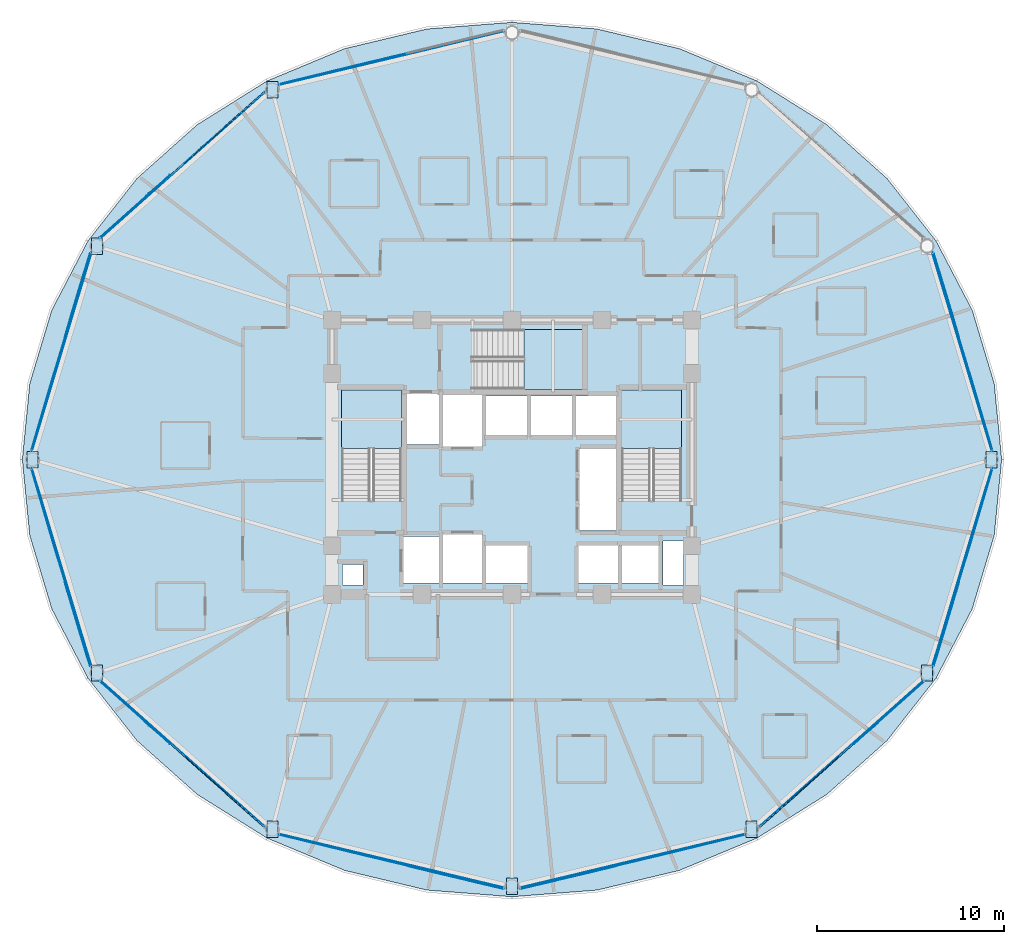
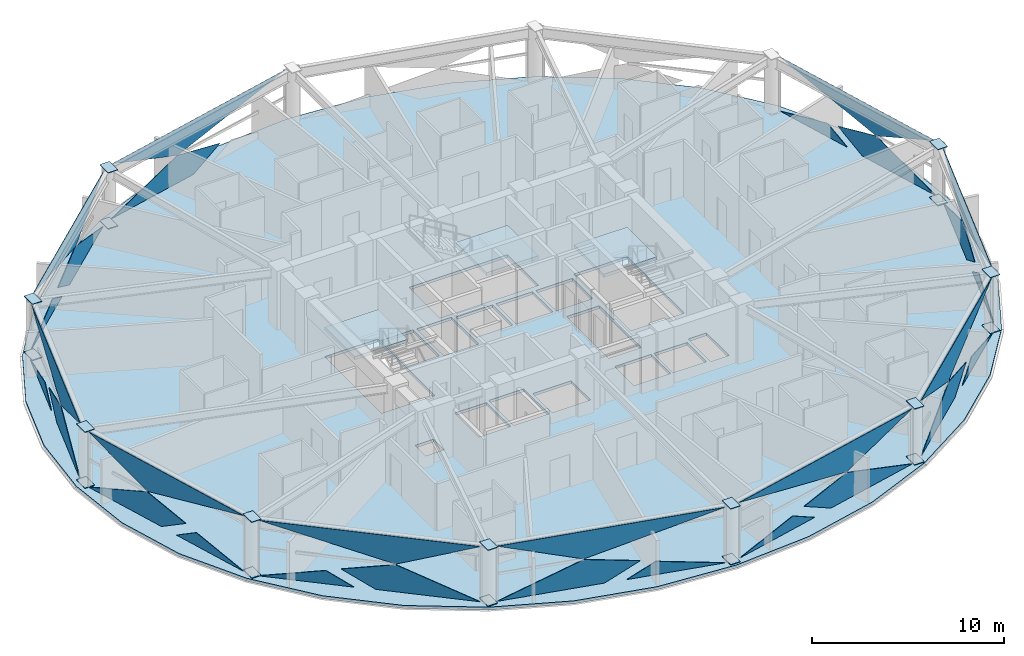
# One storey, part 23 of 32: 47 plates, 4 slabs, 13 elements without a shape of their own.
"""IFC4 building model written with IfcOpenShell, lengths in metres."""

import ifcopenshell
import ifcopenshell.guid

model = None  # the IFC model being written
_history = None  # IfcOwnerHistory: only IFC2X3 demands one
_inside = {}  # id of a spatial element -> (the spatial element, [elements in it])
_under = {}  # id of a project, library or spatial element -> (it, [spatial elements below it])
_declared = {}  # id of a project -> (the project, [libraries it declares])
_typed = {}  # id of a type object -> (the type object, [elements of that type])
_made_of = {}  # id of a material, layer set ... -> (it, [elements and type objects made of it])


def new_model(schema):
    """Start an empty IFC model of exactly this schema.

    Asked for "IFC4X3", IfcOpenShell would pick the latest addendum, in which some entities
    have other attributes; the version numbers below select the first issue.
    IFC2X3 requires an IfcOwnerHistory on every rooted entity: one is made here for all.
    """
    global model, _history
    if schema == "IFC4X3":
        model = ifcopenshell.file(schema_version=(4, 3, 0, 0))
    else:
        model = ifcopenshell.file(schema=schema)
    _inside.clear()
    _under.clear()
    _declared.clear()
    _typed.clear()
    _made_of.clear()
    _history = None
    if model.schema == "IFC2X3":
        org = make("IfcOrganization", Name="unknown")
        user = make(
            "IfcPersonAndOrganization",
            ThePerson=make("IfcPerson", FamilyName="unknown"),
            TheOrganization=org,
        )
        app = make(
            "IfcApplication",
            ApplicationDeveloper=org,
            Version="unknown",
            ApplicationFullName="unknown",
            ApplicationIdentifier="unknown",
        )
        _history = make(
            "IfcOwnerHistory",
            OwningUser=user,
            OwningApplication=app,
            ChangeAction="ADDED",
            CreationDate=0,
        )
    return model


def make(cls, **values):
    """One entity of the class cls with the attributes given. An attribute that is None is left unset."""
    return model.create_entity(
        cls, **{name: value for name, value in values.items() if value is not None}
    )


def rooted(cls, **values):
    """An entity with a GlobalId (a new one), such as an element, a storey or a relation."""
    return make(cls, GlobalId=ifcopenshell.guid.new(), OwnerHistory=_history, **values)


def si_unit(unit_type, name, prefix=None):
    """IfcSIUnit, for example si_unit("LENGTHUNIT", "METRE", prefix="MILLI")."""
    return make("IfcSIUnit", UnitType=unit_type, Prefix=prefix, Name=name)


def assignment(units):
    """IfcUnitAssignment: the units of a project."""
    return None if units is None else make("IfcUnitAssignment", Units=units)


def point(xyz):
    """IfcCartesianPoint."""
    return None if xyz is None else make("IfcCartesianPoint", Coordinates=xyz)


def direction(xyz):
    """IfcDirection."""
    return None if xyz is None else make("IfcDirection", DirectionRatios=xyz)


def frame(location, z_axis=None, x_axis=None):
    """IfcAxis2Placement3D, a coordinate frame: its origin and axes. An axis left out is left unset."""
    return make(
        "IfcAxis2Placement3D",
        Location=point(location),
        Axis=direction(z_axis),
        RefDirection=direction(x_axis),
    )


def origin():
    """The frame at (0, 0, 0) with its axes left unset."""
    return frame((0.0, 0.0, 0.0))


def place(relative_to, where):
    """IfcLocalPlacement: puts the frame where relative to a parent placement (None: the world)."""
    return make(
        "IfcLocalPlacement", PlacementRelTo=relative_to, RelativePlacement=where
    )


def context(
    kind, dimensions, precision=None, world=None, true_north=None, identifier=None
):
    """IfcGeometricRepresentationContext, for example the 3D "Model" context."""
    return make(
        "IfcGeometricRepresentationContext",
        ContextIdentifier=identifier,
        ContextType=kind,
        CoordinateSpaceDimension=dimensions,
        Precision=precision,
        WorldCoordinateSystem=world,
        TrueNorth=true_north,
    )


def subcontext(parent, identifier, kind, view, scale=None):
    """IfcGeometricRepresentationSubContext, for example "Body" below "Model"."""
    return make(
        "IfcGeometricRepresentationSubContext",
        ContextIdentifier=identifier,
        ContextType=kind,
        ParentContext=parent,
        TargetScale=scale,
        TargetView=view,
    )


def project(units=None, contexts=None):
    """IfcProject with its units and contexts."""
    return rooted(
        "IfcProject",
        Name="project",
        RepresentationContexts=contexts,
        UnitsInContext=assignment(units),
    )


def spatial(cls, under=None, at=None, **own):
    """A site, building, storey or space (cls), placed at a placement, below another one or the project."""
    s = rooted(cls, ObjectPlacement=at, **own)
    if under is not None:
        _under.setdefault(under.id(), (under, []))[1].append(s)
    return s


def polyline(points):
    """IfcPolyline through the points."""
    return make("IfcPolyline", Points=[point(p) for p in points])


def outline(outer, holes=None, kind="AREA"):
    """IfcArbitraryClosedProfileDef: a profile drawn as a closed curve; with holes, ...WithVoids."""
    if holes is None:
        return make("IfcArbitraryClosedProfileDef", ProfileType=kind, OuterCurve=outer)
    return make(
        "IfcArbitraryProfileDefWithVoids",
        ProfileType=kind,
        OuterCurve=outer,
        InnerCurves=holes,
    )


def extrude(swept, where, along, depth):
    """IfcExtrudedAreaSolid: the profile swept, set in the frame where, extruded along a direction by depth."""
    return make(
        "IfcExtrudedAreaSolid",
        SweptArea=swept,
        Position=where,
        ExtrudedDirection=direction(along),
        Depth=depth,
    )


def shape(context_of_items, identifier, shape_type, items):
    """IfcShapeRepresentation: the items that make up one representation, for example the "Body"."""
    return make(
        "IfcShapeRepresentation",
        ContextOfItems=context_of_items,
        RepresentationIdentifier=identifier,
        RepresentationType=shape_type,
        Items=items,
    )


def material(Name=None, Category=None):
    """IfcMaterial."""
    return make("IfcMaterial", Name=Name, Category=Category)


def layer(
    of_material, thickness, ventilated=None, Name=None, Category=None, Priority=None
):
    """IfcMaterialLayer: one layer of a wall or slab, of a material (None: an air gap)."""
    return make(
        "IfcMaterialLayer",
        Material=of_material,
        LayerThickness=thickness,
        IsVentilated=ventilated,
        Name=Name,
        Category=Category,
        Priority=Priority,
    )


def layer_set(layers, Name=None):
    """IfcMaterialLayerSet."""
    return make("IfcMaterialLayerSet", MaterialLayers=layers, LayerSetName=Name)


def made_of(thing, what):
    """Note that an element or type object is made of a material, layer set ...; save() writes the relation."""
    if what is not None:
        _made_of.setdefault(what.id(), (what, []))[1].append(thing)
    return thing


def type_object(cls, material=None, **own):
    """A type object (cls), such as IfcWallType, which elements share."""
    return made_of(rooted(cls, **own), material)


def element(
    cls,
    number,
    at=None,
    inside=None,
    cuts=None,
    type_object=None,
    material=None,
    context=None,
    identifier="Body",
    shape_type=None,
    held_by="IfcProductDefinitionShape",
    body=None,
    shapes=None,
    **own,
):
    """One element of the class cls, such as IfcWall. Its Tag is "e" and its number.

    at: its placement. inside: the storey or other place that contains it. cuts: it is an
    opening in that element (IfcRelVoidsElement). A single representation is given by context,
    identifier, shape_type and body (its items); several are given by shapes. held_by: the class
    of the entity that holds the representations. save() writes the other relations.
    """
    e = rooted(cls, Tag="e%d" % number, ObjectPlacement=at, **own)
    if body is not None:
        shapes = [shape(context, identifier, shape_type, body)]
    if shapes is not None:
        e.Representation = make(held_by, Representations=shapes)
    if inside is not None:
        _inside.setdefault(inside.id(), (inside, []))[1].append(e)
    if cuts is not None:
        rooted(
            "IfcRelVoidsElement", RelatingBuildingElement=cuts, RelatedOpeningElement=e
        )
    if type_object is not None:
        _typed.setdefault(type_object.id(), (type_object, []))[1].append(e)
    return made_of(e, material)


def aggregate(whole, parts):
    """IfcRelAggregates: a whole, such as a stair, and the parts it consists of."""
    return rooted("IfcRelAggregates", RelatingObject=whole, RelatedObjects=parts)


def save(model, path):
    """Write the relations noted so far, then the file.

    IfcRelAggregates (storeys below a building ...), IfcRelContainedInSpatialStructure (elements
    in a storey), IfcRelDefinesByType, IfcRelAssociatesMaterial and IfcRelDeclares: one each for
    every whole, place, type object, material and project.
    """
    for whole, parts in _under.values():
        aggregate(whole, parts)
    for where, things in _inside.values():
        rooted(
            "IfcRelContainedInSpatialStructure",
            RelatedElements=things,
            RelatingStructure=where,
        )
    for kind, things in _typed.values():
        rooted("IfcRelDefinesByType", RelatedObjects=things, RelatingType=kind)
    for what, things in _made_of.values():
        rooted("IfcRelAssociatesMaterial", RelatedObjects=things, RelatingMaterial=what)
    for by, libraries in _declared.values():
        rooted("IfcRelDeclares", RelatingContext=by, RelatedDefinitions=libraries)
    model.write(path)


model = new_model("IFC4")

# Units and contexts
model_context = context("Model", 3, precision=1e-05, world=origin(), true_north=direction((0.0, 1.0)))
body_context = subcontext(model_context, "Body", "Model", "MODEL_VIEW")
ifc_project = project(units=[si_unit("LENGTHUNIT", "METRE"), si_unit("AREAUNIT", "SQUARE_METRE"), si_unit("VOLUMEUNIT", "CUBIC_METRE"), si_unit("PLANEANGLEUNIT", "RADIAN"), si_unit("MASSUNIT", "GRAM", prefix="KILO")], contexts=[model_context])

# Site, building, storey
site_placement = place(None, origin())
site = spatial("IfcSite", under=ifc_project, at=site_placement, CompositionType="ELEMENT")
building_placement = place(site_placement, origin())
building = spatial("IfcBuilding", under=site, at=building_placement, Name="Vantalir Tower", CompositionType="ELEMENT")
storey_placement = place(building_placement, frame((0.0, 0.0, 108.449951171875)))
storey = spatial("IfcBuildingStorey", under=building, at=storey_placement, Name="L26", CompositionType="ELEMENT", Elevation=108.449951171875)

# Curtain wall, plates
ifc_material_1 = material(Name="Champagne-silver PVDF aluminium and double-silver Low-E glass", Category="aluminium")
ifc_layer_1 = layer(ifc_material_1, 0.199951171875)
ifc_layer_set_1 = layer_set([ifc_layer_1], Name="Champagne-silver PVDF aluminium and double-silver Low-E glass")
curtain_wall_type = type_object("IfcCurtainWallType", Name="CW-DIAMOND-Z2", PredefinedType="USERDEFINED", material=ifc_layer_set_1)
curtain_wall_1_placement = place(storey_placement, origin())
curtain_wall_1 = element("IfcCurtainWall", 1, at=curtain_wall_1_placement, inside=storey, type_object=curtain_wall_type, Name="L26 Quilted Pyramid-Diamond Curtain Wall S01", ObjectType="UNITISED CURTAIN WALL", PredefinedType="USERDEFINED")
ifc_material_2 = material(Name="Double-silver Low-E laminated glass IGU", Category="glass")
ifc_layer_2 = layer(ifc_material_2, 0.028076171875)
ifc_layer_set_2 = layer_set([ifc_layer_2], Name="Double-silver Low-E laminated glass IGU")
plate_type_1 = type_object("IfcPlateType", Name="CWP-IGU-28", PredefinedType="CURTAIN_PANEL", material=ifc_layer_set_2)
plate_1_placement = place(storey_placement, frame((57.14697265625, 25.435546875, 0.046630859375), z_axis=(-0.957577767736, -0.287853245197, 0.013613521497), x_axis=(-0.287879920207, 0.957666513741, 1.7846e-07)))
plate_1 = element("IfcPlate", 2, at=plate_1_placement, type_object=plate_type_1, Name="CW-L26-S01 Pyramid Diamond Facet 1L", PredefinedType="CURTAIN_PANEL", context=body_context, shape_type="SweptSolid", body=[
    extrude(outline(polyline([(0.0, 0.0), (5.216669741182429, -3.469446951953614e-18), (6.9561834212016, -1.037936739282939), (4.216130580908256, -1.7267226909738922), (0.0, 0.0)])), origin(), (0.0, 0.0, -1.0), 0.028076171875),
])
plate_2_placement = place(storey_placement, frame((55.355712890625, 31.505126953125, 0.046142578125), z_axis=(-0.957569191157, -0.287881196806, 0.013625735634), x_axis=(-0.287907924636, 0.957658095007, 0.0)))
plate_2 = element("IfcPlate", 3, at=plate_2_placement, type_object=plate_type_1, Name="CW-L26-S01 Pyramid Diamond Facet 1L Infill Light", PredefinedType="CURTAIN_PANEL", context=body_context, shape_type="SweptSolid", body=[
    extrude(outline(polyline([(0.0, 0.0), (4.758872786266264, 0.0), (1.4101682516779794, -0.8413867035858713), (0.0, 0.0)])), origin(), (0.0, 0.0, -1.0), 0.028076171875),
])
plate_3_placement = place(storey_placement, frame((53.955078125, 36.05322265625, 3.523681640625), z_axis=(0.957572880945, 0.287866041826, 0.013686476634), x_axis=(0.287893295674, -0.957662492646, -2.2020292e-05)))
plate_3 = element("IfcPlate", 4, at=plate_3_placement, type_object=plate_type_1, Name="CW-L26-S01 Pyramid Diamond Facet 2U", PredefinedType="CURTAIN_PANEL", context=body_context, shape_type="SweptSolid", body=[
    extrude(outline(polyline([(0.0, 0.0), (11.087074896201031, -1.81603863891322e-18), (6.870982973529119, 1.7268170809472392), (0.0, 0.0)])), origin(), (0.0, 0.0, -1.0), 0.028076171875),
])
aggregate(curtain_wall_1, [plate_1, plate_2, plate_3])

curtain_wall_2_placement = place(storey_placement, origin())
curtain_wall_2 = element("IfcCurtainWall", 5, at=curtain_wall_2_placement, inside=storey, type_object=curtain_wall_type, Name="L26 Quilted Pyramid-Diamond Curtain Wall S04", ObjectType="UNITISED CURTAIN WALL", PredefinedType="USERDEFINED")
plate_4_placement = place(storey_placement, frame((24.71875, 46.358642578125, 0.04638671875), z_axis=(0.23226145052, -0.972558044793, 0.013618667742), x_axis=(-0.972648377803, -0.232282438885, 4.174218e-05)))
plate_4 = element("IfcPlate", 6, at=plate_4_placement, type_object=plate_type_1, Name="CW-L26-S04 Pyramid Diamond Facet 1L", PredefinedType="CURTAIN_PANEL", context=body_context, shape_type="SweptSolid", body=[
    extrude(outline(polyline([(0.0, 0.0), (5.82461301879064, 4.30970363562988e-18), (1.1317623933535532, -1.7274078781164537), (-1.9212521786242993, -1.0380172504692702), (0.0, 0.0)])), origin(), (0.0, 0.0, -1.0), 0.028076171875),
])
plate_5_placement = place(storey_placement, frame((19.053466796875, 45.005615234375, 3.5234375), z_axis=(-0.232260523189, 0.972557634169, 0.013663732563), x_axis=(0.972648496566, 0.23228194449, 1.9782145e-05)))
plate_5 = element("IfcPlate", 7, at=plate_5_placement, type_object=plate_type_1, Name="CW-L26-S04 Pyramid Diamond Facet 2U", PredefinedType="CURTAIN_PANEL", context=body_context, shape_type="SweptSolid", body=[
    extrude(outline(polyline([(0.0, 0.0), (12.341463840613704, -1.2197274440461925e-18), (4.69288854270406, 1.7273048663411104), (0.0, 0.0)])), origin(), (0.0, 0.0, -1.0), 0.028076171875),
])
aggregate(curtain_wall_2, [plate_4, plate_5])

curtain_wall_3_placement = place(storey_placement, origin())
curtain_wall_3 = element("IfcCurtainWall", 8, at=curtain_wall_3_placement, inside=storey, type_object=curtain_wall_type, Name="L26 Quilted Pyramid-Diamond Curtain Wall S05", ObjectType="UNITISED CURTAIN WALL", PredefinedType="USERDEFINED")
plate_6_placement = place(storey_placement, frame((18.271484375, 44.597412109375, 0.046630859375), z_axis=(0.665360091783, -0.74639648359, 0.013719968929), x_axis=(-0.746466739083, -0.665422728378, -4.76215e-07)))
plate_6 = element("IfcPlate", 9, at=plate_6_placement, type_object=plate_type_1, Name="CW-L26-S05 Pyramid Diamond Facet 1L", PredefinedType="CURTAIN_PANEL", context=body_context, shape_type="SweptSolid", body=[
    extrude(outline(polyline([(0.0, 0.0), (5.5281666248014485, 0.0), (7.36123049222593, -1.038431324138312), (4.464698902208537, -1.726968682009941), (0.0, 0.0)])), origin(), (0.0, 0.0, -1.0), 0.028076171875),
])
plate_7_placement = place(storey_placement, frame((13.260986328125, 40.173583984375, 0.046142578125), z_axis=(0.665386826305, -0.746372088611, 0.013750517136), x_axis=(-0.746442215785, -0.66545023567, -4.8382306e-05)))
plate_7 = element("IfcPlate", 10, at=plate_7_placement, type_object=plate_type_1, Name="CW-L26-S05 Pyramid Diamond Facet 1L Infill Light", PredefinedType="CURTAIN_PANEL", context=body_context, shape_type="SweptSolid", body=[
    extrude(outline(polyline([(0.0, 0.0), (5.0460725329387595, 1.2739375526704677e-17), (1.4915184818984282, -0.8448786038065937), (0.0, 0.0)])), origin(), (0.0, 0.0, -1.0), 0.028076171875),
])
plate_8_placement = place(storey_placement, frame((9.515625, 36.791748046875, 3.523681640625), z_axis=(-0.665380669575, 0.746378894422, 0.013678834638), x_axis=(0.746448542261, 0.665443140564, -2.081331e-05)))
plate_8 = element("IfcPlate", 11, at=plate_8_placement, type_object=plate_type_1, Name="CW-L26-S05 Pyramid Diamond Facet 2U", PredefinedType="CURTAIN_PANEL", context=body_context, shape_type="SweptSolid", body=[
    extrude(outline(polyline([(0.0, 0.0), (11.730024079727377, 8.131516293641283e-19), (7.265360941063275, 1.7270611486271994), (0.0, 0.0)])), origin(), (0.0, 0.0, -1.0), 0.028076171875),
])
aggregate(curtain_wall_3, [plate_6, plate_7, plate_8])

curtain_wall_4_placement = place(storey_placement, origin())
curtain_wall_4 = element("IfcCurtainWall", 12, at=curtain_wall_4_placement, inside=storey, type_object=curtain_wall_type, Name="L26 Quilted Pyramid-Diamond Curtain Wall S06", ObjectType="UNITISED CURTAIN WALL", PredefinedType="USERDEFINED")
plate_9_placement = place(storey_placement, frame((7.354736328125, 30.431396484375, 0.046630859375), z_axis=(0.957577767736, -0.287853245197, 0.013613521497), x_axis=(-0.287879920207, -0.957666513741, -1.7846e-07)))
plate_9 = element("IfcPlate", 13, at=plate_9_placement, type_object=plate_type_1, Name="CW-L26-S06 Pyramid Diamond Facet 1L", PredefinedType="CURTAIN_PANEL", context=body_context, shape_type="SweptSolid", body=[
    extrude(outline(polyline([(0.0, 0.0), (5.216669741182429, 3.469446951953614e-18), (1.0005391602741731, -1.7267226909738922), (-1.7395136800191702, -1.037936739282939), (0.0, 0.0)])), origin(), (0.0, 0.0, -1.0), 0.028076171875),
])
plate_10_placement = place(storey_placement, frame((9.014404296875, 36.0625, 0.046142578125), z_axis=(0.957569191157, -0.287881196806, 0.013625735634), x_axis=(-0.287907924636, -0.957658095007, 0.0)))
plate_10 = element("IfcPlate", 14, at=plate_10_placement, type_object=plate_type_1, Name="CW-L26-S06 Pyramid Diamond Facet 1L Infill Light", PredefinedType="CURTAIN_PANEL", context=body_context, shape_type="SweptSolid", body=[
    extrude(outline(polyline([(0.0, 0.0), (4.758872786266264, 0.0), (3.3487045345882844, -0.8413867035858713), (0.0, 0.0)])), origin(), (0.0, 0.0, -1.0), 0.028076171875),
])
plate_11_placement = place(storey_placement, frame((5.85302734375, 25.435546875, 3.5234375), z_axis=(-0.957572880945, 0.287866041826, 0.013686476634), x_axis=(0.287893295674, 0.957662492646, 2.2020292e-05)))
plate_11 = element("IfcPlate", 15, at=plate_11_placement, type_object=plate_type_1, Name="CW-L26-S06 Pyramid Diamond Facet 2U", PredefinedType="CURTAIN_PANEL", context=body_context, shape_type="SweptSolid", body=[
    extrude(outline(polyline([(0.0, 0.0), (11.087074896201031, 1.81603863891322e-18), (4.216091922671914, 1.7268170809472392), (0.0, 0.0)])), origin(), (0.0, 0.0, -1.0), 0.028076171875),
])
aggregate(curtain_wall_4, [plate_9, plate_10, plate_11])

curtain_wall_5_placement = place(storey_placement, origin())
curtain_wall_5 = element("IfcCurtainWall", 16, at=curtain_wall_5_placement, inside=storey, type_object=curtain_wall_type, Name="L26 Quilted Pyramid-Diamond Curtain Wall S07", ObjectType="UNITISED CURTAIN WALL", PredefinedType="USERDEFINED")
plate_12_placement = place(storey_placement, frame((5.85302734375, 24.564453125, 0.046630859375), z_axis=(0.957577767736, 0.287853245197, 0.013613521497), x_axis=(0.287879920207, -0.957666513741, 1.7846e-07)))
plate_12 = element("IfcPlate", 17, at=plate_12_placement, type_object=plate_type_1, Name="CW-L26-S07 Pyramid Diamond Facet 1L", PredefinedType="CURTAIN_PANEL", context=body_context, shape_type="SweptSolid", body=[
    extrude(outline(polyline([(0.0, 0.0), (5.216669741182429, -3.469446951953614e-18), (6.9561834212016, -1.037936739282939), (4.216130580908256, -1.7267226909738922), (0.0, 0.0)])), origin(), (0.0, 0.0, -1.0), 0.028076171875),
])
plate_13_placement = place(storey_placement, frame((7.644287109375, 18.494873046875, 0.046142578125), z_axis=(0.957569191157, 0.287881196806, 0.013625735634), x_axis=(0.287907924636, -0.957658095007, 0.0)))
plate_13 = element("IfcPlate", 18, at=plate_13_placement, type_object=plate_type_1, Name="CW-L26-S07 Pyramid Diamond Facet 1L Infill Light", PredefinedType="CURTAIN_PANEL", context=body_context, shape_type="SweptSolid", body=[
    extrude(outline(polyline([(0.0, 0.0), (4.758872786266264, 0.0), (1.4101682516779794, -0.8413867035858713), (0.0, 0.0)])), origin(), (0.0, 0.0, -1.0), 0.028076171875),
])
plate_14_placement = place(storey_placement, frame((9.044921875, 13.94677734375, 3.523681640625), z_axis=(-0.957572880945, -0.287866041826, 0.013686476634), x_axis=(-0.287893295674, 0.957662492646, -2.2020292e-05)))
plate_14 = element("IfcPlate", 19, at=plate_14_placement, type_object=plate_type_1, Name="CW-L26-S07 Pyramid Diamond Facet 2U", PredefinedType="CURTAIN_PANEL", context=body_context, shape_type="SweptSolid", body=[
    extrude(outline(polyline([(0.0, 0.0), (11.087074896201031, -1.81603863891322e-18), (6.870982973529119, 1.7268170809472392), (0.0, 0.0)])), origin(), (0.0, 0.0, -1.0), 0.028076171875),
])
aggregate(curtain_wall_5, [plate_12, plate_13, plate_14])

curtain_wall_6_placement = place(storey_placement, origin())
curtain_wall_6 = element("IfcCurtainWall", 20, at=curtain_wall_6_placement, inside=storey, type_object=curtain_wall_type, Name="L26 Quilted Pyramid-Diamond Curtain Wall S08", ObjectType="UNITISED CURTAIN WALL", PredefinedType="USERDEFINED")
plate_15_placement = place(storey_placement, frame((14.14501953125, 9.081298828125, 0.046630859375), z_axis=(0.665360091783, 0.74639648359, 0.013719968929), x_axis=(0.746466739083, -0.665422728378, 4.76215e-07)))
plate_15 = element("IfcPlate", 21, at=plate_15_placement, type_object=plate_type_1, Name="CW-L26-S08 Pyramid Diamond Facet 1L", PredefinedType="CURTAIN_PANEL", context=body_context, shape_type="SweptSolid", body=[
    extrude(outline(polyline([(0.0, 0.0), (5.5281666248014485, 0.0), (1.0634677225929112, -1.726968682009941), (-1.833063867424482, -1.038431324138312), (0.0, 0.0)])), origin(), (0.0, 0.0, -1.0), 0.028076171875),
])
plate_16_placement = place(storey_placement, frame((9.494384765625, 13.184326171875, 0.0458984375), z_axis=(0.665386826305, 0.746372088611, 0.013750517136), x_axis=(0.746442215785, -0.66545023567, 4.8382306e-05)))
plate_16 = element("IfcPlate", 22, at=plate_16_placement, type_object=plate_type_1, Name="CW-L26-S08 Pyramid Diamond Facet 1L Infill Light", PredefinedType="CURTAIN_PANEL", context=body_context, shape_type="SweptSolid", body=[
    extrude(outline(polyline([(0.0, 0.0), (5.0460725329387595, -1.2739375526704677e-17), (3.5545540510403315, -0.8448786038065937), (0.0, 0.0)])), origin(), (0.0, 0.0, -1.0), 0.028076171875),
])
plate_17_placement = place(storey_placement, frame((18.271484375, 5.402587890625, 3.5234375), z_axis=(-0.665380669575, -0.746378894422, 0.013678834638), x_axis=(-0.746448542261, 0.665443140564, 2.081331e-05)))
plate_17 = element("IfcPlate", 23, at=plate_17_placement, type_object=plate_type_1, Name="CW-L26-S08 Pyramid Diamond Facet 2U", PredefinedType="CURTAIN_PANEL", context=body_context, shape_type="SweptSolid", body=[
    extrude(outline(polyline([(0.0, 0.0), (11.730024079727377, -8.131516293641283e-19), (4.464663138664101, 1.7270611486271994), (0.0, 0.0)])), origin(), (0.0, 0.0, -1.0), 0.028076171875),
])
aggregate(curtain_wall_6, [plate_15, plate_16, plate_17])

curtain_wall_7_placement = place(storey_placement, origin())
curtain_wall_7 = element("IfcCurtainWall", 24, at=curtain_wall_7_placement, inside=storey, type_object=curtain_wall_type, Name="L26 Quilted Pyramid-Diamond Curtain Wall S09", ObjectType="UNITISED CURTAIN WALL", PredefinedType="USERDEFINED")
plate_18_placement = place(storey_placement, frame((19.053466796875, 4.994384765625, 0.046630859375), z_axis=(0.23226145052, 0.972558044793, 0.013618667742), x_axis=(0.972648377803, -0.232282438885, -4.174218e-05)))
plate_18 = element("IfcPlate", 25, at=plate_18_placement, type_object=plate_type_1, Name="CW-L26-S09 Pyramid Diamond Facet 1L", PredefinedType="CURTAIN_PANEL", context=body_context, shape_type="SweptSolid", body=[
    extrude(outline(polyline([(0.0, 0.0), (5.82461301879064, -4.30970363562988e-18), (7.74586519741494, -1.0380172504692702), (4.692850625437088, -1.727407878116454), (0.0, 0.0)])), origin(), (0.0, 0.0, -1.0), 0.028076171875),
])
plate_19_placement = place(storey_placement, frame((25.8759765625, 3.332275390625, 0.0458984375), z_axis=(0.232295294246, 0.972547248314, 0.013811084997), x_axis=(0.972640016367, -0.232317452123, 0.0)))
plate_19 = element("IfcPlate", 26, at=plate_19_placement, type_object=plate_type_1, Name="CW-L26-S09 Pyramid Diamond Facet 1L Infill Light", PredefinedType="CURTAIN_PANEL", context=body_context, shape_type="SweptSolid", body=[
    extrude(outline(polyline([(0.0, 0.0), (5.319616896855435, 0.0), (1.5683330910401547, -0.8472487772904425), (0.0, 0.0)])), origin(), (0.0, 0.0, -1.0), 0.028076171875),
])
plate_20_placement = place(storey_placement, frame((31.057373046875, 2.127685546875, 3.523681640625), z_axis=(-0.232260523189, -0.972557634169, 0.013663732563), x_axis=(-0.972648496566, 0.23228194449, -1.9782145e-05)))
plate_20 = element("IfcPlate", 27, at=plate_20_placement, type_object=plate_type_1, Name="CW-L26-S09 Pyramid Diamond Facet 2U", PredefinedType="CURTAIN_PANEL", context=body_context, shape_type="SweptSolid", body=[
    extrude(outline(polyline([(0.0, 0.0), (12.341463840613704, 1.2197274440461925e-18), (7.648575297909645, 1.7273048663411104), (0.0, 0.0)])), origin(), (0.0, 0.0, -1.0), 0.028076171875),
])
aggregate(curtain_wall_7, [plate_18, plate_19, plate_20])

curtain_wall_8_placement = place(storey_placement, origin())
curtain_wall_8 = element("IfcCurtainWall", 28, at=curtain_wall_8_placement, inside=storey, type_object=curtain_wall_type, Name="L26 Quilted Pyramid-Diamond Curtain Wall S10", ObjectType="UNITISED CURTAIN WALL", PredefinedType="USERDEFINED")
plate_21_placement = place(storey_placement, frame((38.28125, 3.641357421875, 0.04638671875), z_axis=(-0.23226145052, 0.972558044793, 0.013618667742), x_axis=(0.972648377803, 0.232282438885, 4.174218e-05)))
plate_21 = element("IfcPlate", 29, at=plate_21_placement, type_object=plate_type_1, Name="CW-L26-S10 Pyramid Diamond Facet 1L", PredefinedType="CURTAIN_PANEL", context=body_context, shape_type="SweptSolid", body=[
    extrude(outline(polyline([(0.0, 0.0), (5.82461301879064, 4.30970363562988e-18), (1.1317623933535532, -1.7274078781164537), (-1.9212521786242993, -1.0380172504692702), (0.0, 0.0)])), origin(), (0.0, 0.0, -1.0), 0.028076171875),
])
plate_22_placement = place(storey_placement, frame((31.949951171875, 2.096435546875, 0.0458984375), z_axis=(-0.232295294246, 0.972547248314, 0.013811084997), x_axis=(0.972640016367, 0.232317452123, 0.0)))
plate_22 = element("IfcPlate", 30, at=plate_22_placement, type_object=plate_type_1, Name="CW-L26-S10 Pyramid Diamond Facet 1L Infill Light", PredefinedType="CURTAIN_PANEL", context=body_context, shape_type="SweptSolid", body=[
    extrude(outline(polyline([(0.0, 0.0), (5.319616896855435, 0.0), (3.75128380581528, -0.8472487772904425), (0.0, 0.0)])), origin(), (0.0, 0.0, -1.0), 0.028076171875),
])
plate_23_placement = place(storey_placement, frame((43.946533203125, 4.994384765625, 3.5234375), z_axis=(0.232260523189, -0.972557634169, 0.013663732563), x_axis=(-0.972648496566, -0.23228194449, 1.9782145e-05)))
plate_23 = element("IfcPlate", 31, at=plate_23_placement, type_object=plate_type_1, Name="CW-L26-S10 Pyramid Diamond Facet 2U", PredefinedType="CURTAIN_PANEL", context=body_context, shape_type="SweptSolid", body=[
    extrude(outline(polyline([(0.0, 0.0), (12.341463840613704, -1.2197274440461925e-18), (4.69288854270406, 1.7273048663411104), (0.0, 0.0)])), origin(), (0.0, 0.0, -1.0), 0.028076171875),
])
aggregate(curtain_wall_8, [plate_21, plate_22, plate_23])

curtain_wall_9_placement = place(storey_placement, origin())
curtain_wall_9 = element("IfcCurtainWall", 32, at=curtain_wall_9_placement, inside=storey, type_object=curtain_wall_type, Name="L26 Quilted Pyramid-Diamond Curtain Wall S11", ObjectType="UNITISED CURTAIN WALL", PredefinedType="USERDEFINED")
plate_24_placement = place(storey_placement, frame((44.728515625, 5.402587890625, 0.046630859375), z_axis=(-0.665360091783, 0.74639648359, 0.013719968929), x_axis=(0.746466739083, 0.665422728378, -4.76215e-07)))
plate_24 = element("IfcPlate", 33, at=plate_24_placement, type_object=plate_type_1, Name="CW-L26-S11 Pyramid Diamond Facet 1L", PredefinedType="CURTAIN_PANEL", context=body_context, shape_type="SweptSolid", body=[
    extrude(outline(polyline([(0.0, 0.0), (5.5281666248014485, 0.0), (7.36123049222593, -1.038431324138312), (4.464698902208537, -1.726968682009941), (0.0, 0.0)])), origin(), (0.0, 0.0, -1.0), 0.028076171875),
])
plate_25_placement = place(storey_placement, frame((49.739013671875, 9.826416015625, 0.046142578125), z_axis=(-0.665386826305, 0.746372088611, 0.013750517136), x_axis=(0.746442215785, 0.66545023567, -4.8382306e-05)))
plate_25 = element("IfcPlate", 34, at=plate_25_placement, type_object=plate_type_1, Name="CW-L26-S11 Pyramid Diamond Facet 1L Infill Light", PredefinedType="CURTAIN_PANEL", context=body_context, shape_type="SweptSolid", body=[
    extrude(outline(polyline([(0.0, 0.0), (5.0460725329387595, 1.2739375526704677e-17), (1.4915184818984282, -0.8448786038065937), (0.0, 0.0)])), origin(), (0.0, 0.0, -1.0), 0.028076171875),
])
plate_26_placement = place(storey_placement, frame((53.484375, 13.208251953125, 3.523681640625), z_axis=(0.665380669575, -0.746378894422, 0.013678834638), x_axis=(-0.746448542261, -0.665443140564, -2.081331e-05)))
plate_26 = element("IfcPlate", 35, at=plate_26_placement, type_object=plate_type_1, Name="CW-L26-S11 Pyramid Diamond Facet 2U", PredefinedType="CURTAIN_PANEL", context=body_context, shape_type="SweptSolid", body=[
    extrude(outline(polyline([(0.0, 0.0), (11.730024079727377, 8.131516293641283e-19), (7.265360941063275, 1.7270611486271994), (0.0, 0.0)])), origin(), (0.0, 0.0, -1.0), 0.028076171875),
])
aggregate(curtain_wall_9, [plate_24, plate_25, plate_26])

curtain_wall_10_placement = place(storey_placement, origin())
curtain_wall_10 = element("IfcCurtainWall", 36, at=curtain_wall_10_placement, inside=storey, type_object=curtain_wall_type, Name="L26 Quilted Pyramid-Diamond Curtain Wall S12", ObjectType="UNITISED CURTAIN WALL", PredefinedType="USERDEFINED")
plate_27_placement = place(storey_placement, frame((55.645263671875, 19.568603515625, 0.046630859375), z_axis=(-0.957577767736, 0.287853245197, 0.013613521497), x_axis=(0.287879920207, 0.957666513741, -1.7846e-07)))
plate_27 = element("IfcPlate", 37, at=plate_27_placement, type_object=plate_type_1, Name="CW-L26-S12 Pyramid Diamond Facet 1L", PredefinedType="CURTAIN_PANEL", context=body_context, shape_type="SweptSolid", body=[
    extrude(outline(polyline([(0.0, 0.0), (5.216669741182429, 3.469446951953614e-18), (1.0005391602741731, -1.7267226909738922), (-1.7395136800191702, -1.037936739282939), (0.0, 0.0)])), origin(), (0.0, 0.0, -1.0), 0.028076171875),
])
plate_28_placement = place(storey_placement, frame((53.985595703125, 13.9375, 0.046142578125), z_axis=(-0.957569191157, 0.287881196806, 0.013625735634), x_axis=(0.287907924636, 0.957658095007, 0.0)))
plate_28 = element("IfcPlate", 38, at=plate_28_placement, type_object=plate_type_1, Name="CW-L26-S12 Pyramid Diamond Facet 1L Infill Light", PredefinedType="CURTAIN_PANEL", context=body_context, shape_type="SweptSolid", body=[
    extrude(outline(polyline([(0.0, 0.0), (4.758872786266264, 0.0), (3.3487045345882844, -0.8413867035858713), (0.0, 0.0)])), origin(), (0.0, 0.0, -1.0), 0.028076171875),
])
plate_29_placement = place(storey_placement, frame((57.14697265625, 24.564453125, 3.5234375), z_axis=(0.957572880945, -0.287866041826, 0.013686476634), x_axis=(-0.287893295674, -0.957662492646, 2.2020292e-05)))
plate_29 = element("IfcPlate", 39, at=plate_29_placement, type_object=plate_type_1, Name="CW-L26-S12 Pyramid Diamond Facet 2U", PredefinedType="CURTAIN_PANEL", context=body_context, shape_type="SweptSolid", body=[
    extrude(outline(polyline([(0.0, 0.0), (11.087074896201031, 1.81603863891322e-18), (4.216091922671914, 1.7268170809472392), (0.0, 0.0)])), origin(), (0.0, 0.0, -1.0), 0.028076171875),
])
aggregate(curtain_wall_10, [plate_27, plate_28, plate_29])

# Plates
ifc_material_3 = material(Name="Steel S460", Category="steel")
ifc_layer_3 = layer(ifc_material_3, 0.035888671875)
ifc_layer_set_3 = layer_set([ifc_layer_3], Name="Steel S460")
plate_type_2 = type_object("IfcPlateType", Name="PLT-KN-Z2", PredefinedType="USERDEFINED", material=ifc_layer_set_3)
for number, where, z_axis, x_axis, name in (
    (40, (56.798095703125, 25.43994140625, 3.59814453125), (0.0, 0.0, 1.0), (0.0, -1.0, 0.0), "L26 Ring Column Top Cap RC01"),
    (41, (56.798095703125, 25.43994140625, 0.052978515625), (0.0, 0.0, 1.0), (0.0, -1.0, 0.0), "L26 Ring Column Base Cap RC01"),
):
    element("IfcPlate", number, at=place(storey_placement, frame(where, z_axis=z_axis, x_axis=x_axis)), inside=storey, type_object=plate_type_2, Name=name, ObjectType="FLANGE_PLATE", PredefinedType="USERDEFINED", context=body_context, shape_type="SweptSolid", body=[
        extrude(outline(polyline([(0.0, 0.0), (0.8798828125, 0.0), (0.8798828125, 0.579833984375), (0.0, 0.579833984375), (0.0, 0.0)])), origin(), (0.0, 0.0, -1.0), 0.035888671875),
    ])
for number, where, z_axis, x_axis, name in (
    (42, (18.416015625, 45.175048828125, 3.59814453125), (0.0, 0.0, 1.0), (0.0, -1.0, 0.0), "L26 Ring Column Top Cap RC05"),
    (43, (18.416015625, 45.175048828125, 0.052978515625), (0.0, 0.0, 1.0), (0.0, -1.0, 0.0), "L26 Ring Column Base Cap RC05"),
):
    element("IfcPlate", number, at=place(storey_placement, frame(where, z_axis=z_axis, x_axis=x_axis)), inside=storey, type_object=plate_type_2, Name=name, ObjectType="FLANGE_PLATE", PredefinedType="USERDEFINED", context=body_context, shape_type="SweptSolid", body=[
        extrude(outline(polyline([(0.0, 0.0), (0.880126953125, 0.0), (0.880126953125, 0.580078125), (0.0, 0.580078125), (0.0, 0.0)])), origin(), (0.0, 0.0, -1.0), 0.035888671875),
    ])
for number, where, z_axis, x_axis, name in (
    (44, (9.050048828125, 36.833984375, 3.59814453125), (0.0, 0.0, 1.0), (0.0, -1.0, 0.0), "L26 Ring Column Top Cap RC06"),
    (45, (9.050048828125, 36.833984375, 0.052978515625), (0.0, 0.0, 1.0), (0.0, -1.0, 0.0), "L26 Ring Column Base Cap RC06"),
    (46, (5.6220703125, 25.43994140625, 3.59814453125), (0.0, 0.0, 1.0), (0.0, -1.0, 0.0), "L26 Ring Column Top Cap RC07"),
    (47, (5.6220703125, 25.43994140625, 0.052978515625), (0.0, 0.0, 1.0), (0.0, -1.0, 0.0), "L26 Ring Column Base Cap RC07"),
    (48, (9.050048828125, 14.0458984375, 3.59814453125), (0.0, 0.0, 1.0), (0.0, -1.0, 0.0), "L26 Ring Column Top Cap RC08"),
    (49, (9.050048828125, 14.0458984375, 0.052978515625), (0.0, 0.0, 1.0), (0.0, -1.0, 0.0), "L26 Ring Column Base Cap RC08"),
):
    element("IfcPlate", number, at=place(storey_placement, frame(where, z_axis=z_axis, x_axis=x_axis)), inside=storey, type_object=plate_type_2, Name=name, ObjectType="FLANGE_PLATE", PredefinedType="USERDEFINED", context=body_context, shape_type="SweptSolid", body=[
        extrude(outline(polyline([(0.0, 0.0), (0.8798828125, 0.0), (0.8798828125, 0.579833984375), (0.0, 0.579833984375), (0.0, 0.0)])), origin(), (0.0, 0.0, -1.0), 0.035888671875),
    ])
for number, where, z_axis, x_axis, name in (
    (50, (18.416015625, 5.705078125, 3.59814453125), (0.0, 0.0, 1.0), (0.0, -1.0, 0.0), "L26 Ring Column Top Cap RC09"),
    (51, (18.416015625, 5.705078125, 0.052978515625), (0.0, 0.0, 1.0), (0.0, -1.0, 0.0), "L26 Ring Column Base Cap RC09"),
    (52, (31.2099609375, 2.652099609375, 3.59814453125), (0.0, 0.0, 1.0), (0.0, -1.0, 0.0), "L26 Ring Column Top Cap RC10"),
    (53, (31.2099609375, 2.652099609375, 0.052978515625), (0.0, 0.0, 1.0), (0.0, -1.0, 0.0), "L26 Ring Column Base Cap RC10"),
    (54, (44.00390625, 5.705078125, 3.59814453125), (0.0, 0.0, 1.0), (0.0, -1.0, 0.0), "L26 Ring Column Top Cap RC11"),
    (55, (44.00390625, 5.705078125, 0.052978515625), (0.0, 0.0, 1.0), (0.0, -1.0, 0.0), "L26 Ring Column Base Cap RC11"),
):
    element("IfcPlate", number, at=place(storey_placement, frame(where, z_axis=z_axis, x_axis=x_axis)), inside=storey, type_object=plate_type_2, Name=name, ObjectType="FLANGE_PLATE", PredefinedType="USERDEFINED", context=body_context, shape_type="SweptSolid", body=[
        extrude(outline(polyline([(0.0, 0.0), (0.880126953125, 0.0), (0.880126953125, 0.580078125), (0.0, 0.580078125), (0.0, 0.0)])), origin(), (0.0, 0.0, -1.0), 0.035888671875),
    ])
for number, where, z_axis, x_axis, name in (
    (56, (53.3701171875, 14.0458984375, 3.59814453125), (0.0, 0.0, 1.0), (0.0, -1.0, 0.0), "L26 Ring Column Top Cap RC12"),
    (57, (53.3701171875, 14.0458984375, 0.052978515625), (0.0, 0.0, 1.0), (0.0, -1.0, 0.0), "L26 Ring Column Base Cap RC12"),
):
    element("IfcPlate", number, at=place(storey_placement, frame(where, z_axis=z_axis, x_axis=x_axis)), inside=storey, type_object=plate_type_2, Name=name, ObjectType="FLANGE_PLATE", PredefinedType="USERDEFINED", context=body_context, shape_type="SweptSolid", body=[
        extrude(outline(polyline([(0.0, 0.0), (0.8798828125, 0.0), (0.8798828125, 0.579833984375), (0.0, 0.579833984375), (0.0, 0.0)])), origin(), (0.0, 0.0, -1.0), 0.035888671875),
    ])

# Stair, slab
ifc_material_4 = material(Name="Concrete C40/50", Category="concrete")
stair_type = type_object("IfcStairType", Name="STR-CORE-1450", PredefinedType="HALF_TURN_STAIR", material=ifc_material_4)
stair_1_placement = place(storey_placement, origin())
stair_1 = element("IfcStair", 58, at=stair_1_placement, inside=storey, type_object=stair_type, Name="L26 Core Exit Stair 1", PredefinedType="HALF_TURN_STAIR")
ifc_layer_4 = layer(ifc_material_4, 0.199951171875)
ifc_layer_set_4 = layer_set([ifc_layer_4], Name="Concrete C40/50")
slab_type_1 = type_object("IfcSlabType", Name="SL-LAND-200", PredefinedType="LANDING", material=ifc_layer_set_4)
slab_1_placement = place(storey_placement, frame((0.0, 0.0, 1.675048828125)))
slab_1 = element("IfcSlab", 59, at=slab_1_placement, type_object=slab_type_1, Name="ST1 landing 1", PredefinedType="LANDING", context=body_context, shape_type="SweptSolid", body=[
    extrude(outline(polyline([(25.60009765625, 25.590087890625), (25.60009765625, 28.699951171875), (22.39990234375, 28.699951171875), (22.39990234375, 25.590087890625), (25.60009765625, 25.590087890625)])), origin(), (0.0, 0.0, 1.0), 0.199951171875),
])
aggregate(stair_1, [slab_1])

stair_2_placement = place(storey_placement, origin())
stair_2 = element("IfcStair", 60, at=stair_2_placement, inside=storey, type_object=stair_type, Name="L26 Core Exit Stair 2", PredefinedType="HALF_TURN_STAIR")
slab_2_placement = place(storey_placement, frame((0.0, 0.0, 1.675048828125)))
slab_2 = element("IfcSlab", 61, at=slab_2_placement, type_object=slab_type_1, Name="ST2 landing 1", PredefinedType="LANDING", context=body_context, shape_type="SweptSolid", body=[
    extrude(outline(polyline([(40.550048828125, 25.590087890625), (40.550048828125, 28.699951171875), (37.35009765625, 28.699951171875), (37.35009765625, 25.590087890625), (40.550048828125, 25.590087890625)])), origin(), (0.0, 0.0, 1.0), 0.199951171875),
])
aggregate(stair_2, [slab_2])

stair_3_placement = place(storey_placement, origin())
stair_3 = element("IfcStair", 62, at=stair_3_placement, inside=storey, type_object=stair_type, Name="L26 Core Exit Stair 3", PredefinedType="HALF_TURN_STAIR")
slab_3_placement = place(storey_placement, frame((0.0, 0.0, 1.675048828125)))
slab_3 = element("IfcSlab", 63, at=slab_3_placement, type_object=slab_type_1, Name="ST3 landing 1", PredefinedType="LANDING", context=body_context, shape_type="SweptSolid", body=[
    extrude(outline(polyline([(32.139892578125, 28.75), (35.25, 28.75), (35.25, 31.949951171875), (32.139892578125, 31.949951171875), (32.139892578125, 28.75)])), origin(), (0.0, 0.0, 1.0), 0.199951171875),
])
aggregate(stair_3, [slab_3])

# Slab
ifc_layer_5 = layer(ifc_material_4, 0.179931640625)
ifc_layer_set_5 = layer_set([ifc_layer_5], Name="Concrete C40/50")
slab_type_2 = type_object("IfcSlabType", Name="SL-TWR-180", PredefinedType="FLOOR", material=ifc_layer_set_5)
slab_4_placement = place(storey_placement, frame((0.0, 0.0, -0.179931640625)))
element("IfcSlab", 64, at=slab_4_placement, inside=storey, type_object=slab_type_2, Name="L26 Primary Structural Slab", PredefinedType="FLOOR", context=body_context, shape_type="SweptSolid", body=[
    extrude(outline(polyline([(8.864013671875, 13.3310546875), (11.47705078125, 9.9990234375), (14.698974609375, 7.1220703125), (18.430908203125, 4.7890625), (22.56005859375, 3.069091796875), (26.9609375, 2.01708984375), (31.5, 1.662109375), (36.0390625, 2.01708984375), (40.43994140625, 3.069091796875), (44.569091796875, 4.7890625), (48.301025390625, 7.1220703125), (51.52294921875, 9.9990234375), (54.135986328125, 13.3310546875), (56.06201171875, 17.01806640625), (57.240966796875, 20.947021484375), (57.637939453125, 25.0), (57.240966796875, 29.052978515625), (56.06201171875, 32.98193359375), (54.135986328125, 36.6689453125), (51.52294921875, 40.0009765625), (48.301025390625, 42.8779296875), (44.569091796875, 45.2109375), (40.43994140625, 46.930908203125), (36.0390625, 47.98291015625), (31.5, 48.337890625), (26.9609375, 47.98291015625), (22.56005859375, 46.930908203125), (18.430908203125, 45.2109375), (14.698974609375, 42.8779296875), (11.47705078125, 40.0009765625), (8.864013671875, 36.6689453125), (6.93798828125, 32.98193359375), (5.759033203125, 29.052978515625), (5.362060546875, 25.0), (5.759033203125, 20.947021484375), (6.93798828125, 17.01806640625), (8.864013671875, 13.3310546875)]), holes=[polyline([(22.39990234375, 22.7900390625), (22.39990234375, 28.699951171875), (25.60009765625, 28.699951171875), (25.60009765625, 22.7900390625), (22.39990234375, 22.7900390625)]), polyline([(37.35009765625, 28.699951171875), (40.550048828125, 28.699951171875), (40.550048828125, 22.7900390625), (37.35009765625, 22.7900390625), (37.35009765625, 28.699951171875)]), polyline([(35.25, 28.75), (29.340087890625, 28.75), (29.340087890625, 31.949951171875), (35.25, 31.949951171875), (35.25, 28.75)]), polyline([(27.60009765625, 18.39990234375), (25.699951171875, 18.39990234375), (25.699951171875, 20.89990234375), (27.60009765625, 20.89990234375), (27.60009765625, 18.39990234375)]), polyline([(25.699951171875, 25.800048828125), (25.699951171875, 28.5), (27.60009765625, 28.5), (27.60009765625, 25.800048828125), (25.699951171875, 25.800048828125)]), polyline([(27.800048828125, 21.0), (29.89990234375, 21.0), (29.89990234375, 18.39990234375), (27.800048828125, 18.39990234375), (27.800048828125, 21.0)]), polyline([(29.89990234375, 28.5), (29.89990234375, 25.699951171875), (27.800048828125, 25.699951171875), (27.800048828125, 28.5), (29.89990234375, 28.5)]), polyline([(32.39990234375, 18.39990234375), (30.10009765625, 18.39990234375), (30.10009765625, 20.39990234375), (32.39990234375, 20.39990234375), (32.39990234375, 18.39990234375)]), polyline([(37.35009765625, 18.39990234375), (37.35009765625, 20.39990234375), (39.35009765625, 20.39990234375), (39.35009765625, 18.39990234375), (37.35009765625, 18.39990234375)]), polyline([(35.0, 20.39990234375), (37.199951171875, 20.39990234375), (37.199951171875, 18.39990234375), (35.0, 18.39990234375), (35.0, 20.39990234375)]), polyline([(32.300048828125, 28.39990234375), (32.300048828125, 26.300048828125), (30.10009765625, 26.300048828125), (30.10009765625, 28.39990234375), (32.300048828125, 28.39990234375)]), polyline([(34.699951171875, 26.300048828125), (32.5, 26.300048828125), (32.5, 28.39990234375), (34.699951171875, 28.39990234375), (34.699951171875, 26.300048828125)]), polyline([(34.89990234375, 26.300048828125), (34.89990234375, 28.39990234375), (37.10009765625, 28.39990234375), (37.10009765625, 26.300048828125), (34.89990234375, 26.300048828125)]), polyline([(35.10009765625, 25.56005859375), (37.06005859375, 25.56005859375), (37.06005859375, 21.199951171875), (35.10009765625, 21.199951171875), (35.10009765625, 25.56005859375)]), polyline([(23.550048828125, 19.39990234375), (23.550048828125, 18.300048828125), (22.449951171875, 18.300048828125), (22.449951171875, 19.39990234375), (23.550048828125, 19.39990234375)]), polyline([(40.64990234375, 18.300048828125), (39.550048828125, 18.300048828125), (39.550048828125, 20.64990234375), (40.64990234375, 20.64990234375), (40.64990234375, 18.300048828125)])]), origin(), (0.0, 0.0, 1.0), 0.179931640625),
])

save(model, "model.ifc")
